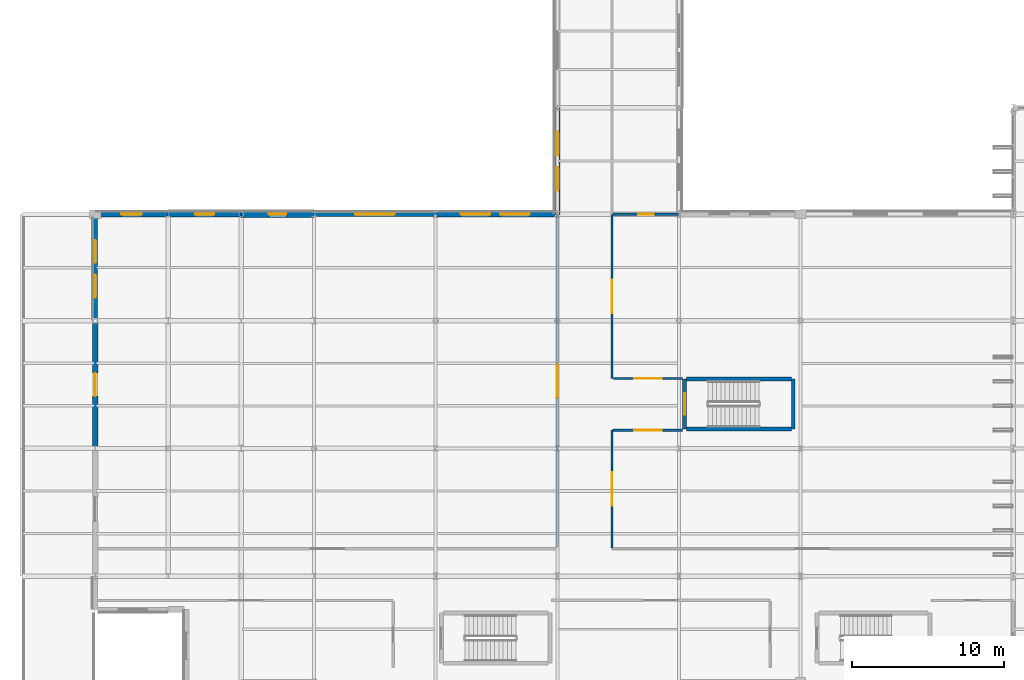
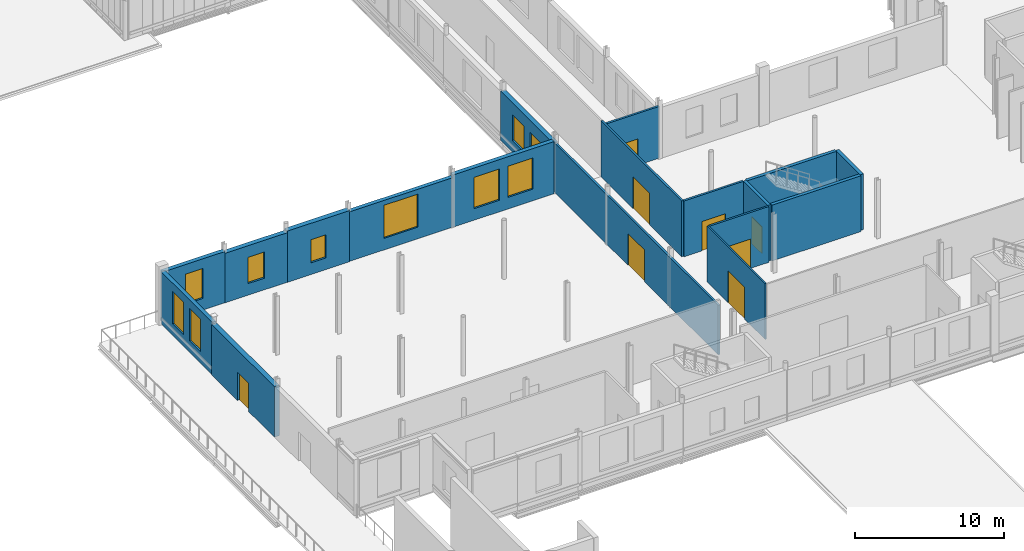
# One storey, part 96 of 120: 18 walls, 10 windows, 8 doors, 18 openings.
"""IFC4 building model written with IfcOpenShell, lengths in metres."""

from ifc_helpers import new_model, si_unit, direction, frame, frame_2d, origin, place, context, subcontext, project, spatial, rectangle, extrude, material, layer, layer_set, type_object, element, fill, save


model = new_model("IFC4")

# Units and contexts
model_context = context("Model", 3, precision=1e-05, world=origin(), true_north=direction((0.0, 1.0)))
body_context = subcontext(model_context, "Body", "Model", "MODEL_VIEW")
ifc_project = project(units=[si_unit("LENGTHUNIT", "METRE"), si_unit("AREAUNIT", "SQUARE_METRE"), si_unit("VOLUMEUNIT", "CUBIC_METRE"), si_unit("PLANEANGLEUNIT", "RADIAN"), si_unit("MASSUNIT", "GRAM", prefix="KILO")], contexts=[model_context])

# Site, building, storey
site_placement = place(None, origin())
site = spatial("IfcSite", under=ifc_project, at=site_placement, CompositionType="ELEMENT")
building_placement = place(site_placement, origin())
building = spatial("IfcBuilding", under=site, at=building_placement, Name="Vekula Escarpment Museum", CompositionType="ELEMENT")
storey_placement = place(building_placement, frame((0.0, 0.0, 13.199951171875)))
storey = spatial("IfcBuildingStorey", under=building, at=storey_placement, Name="L03", CompositionType="ELEMENT", Elevation=13.199951171875)

# Wall, opening, window
ifc_material_1 = material(Name="Inkisi arkosic sandstone masonry", Category="masonry")
ifc_layer_1 = layer(ifc_material_1, 0.300048828125)
ifc_layer_set_1 = layer_set([ifc_layer_1], Name="Inkisi arkosic sandstone masonry")
wall_type_1 = type_object("IfcWallType", Name="WL-ALM-300", PredefinedType="SOLIDWALL", material=ifc_layer_set_1)
wall_1_placement = place(storey_placement, frame((24.0, 83.39990234375, 0.0), z_axis=(0.0, 0.0, 1.0), x_axis=(1.0, 0.0, 0.0)))
wall_1 = element("IfcWall", 1, at=wall_1_placement, inside=storey, type_object=wall_type_1, Name="Exterior Wall WL-EXT-L03-0675", PredefinedType="SOLIDWALL", context=body_context, shape_type="SweptSolid", body=[
    extrude(rectangle(XDim=8.0, YDim=0.300048828125, at=frame_2d((4.0, 0.0))), origin(), (0.0, 0.0, 1.0), 4.045166015625),
])
opening_1_placement = place(wall_1_placement, frame((2.699951171875, 0.0, 0.949951171875)))
opening_1 = element("IfcOpeningElement", 2, at=opening_1_placement, cuts=wall_1, Name="Opening WN-28", PredefinedType="OPENING", context=body_context, shape_type="SweptSolid", body=[
    extrude(rectangle(XDim=2.60009765625, YDim=2.699951171875, at=frame_2d((1.300048828125, 1.35009765625))), frame((0.0, 0.159912109375, 0.0), z_axis=(0.0, -1.0, 0.0), x_axis=(1.0, 0.0, 0.0)), (0.0, 0.0, 1.0), 0.320068359375),
])
ifc_material_2 = material(Name="Double solar-control low-E glass", Category="glass")
window_type_1 = type_object("IfcWindowType", Name="WN-GAL-26x38", PartitioningType="TRIPLE_PANEL_VERTICAL", PredefinedType="WINDOW", material=ifc_material_2)
window_1_placement = place(opening_1_placement, origin())
window_1 = element("IfcWindow", 3, at=window_1_placement, inside=storey, type_object=window_type_1, Name="Window L03-0350", OverallHeight=2.699951171875, OverallWidth=2.60009765625, PartitioningType="SINGLE_PANEL", PredefinedType="WINDOW", context=body_context, shape_type="SweptSolid", body=[
    extrude(rectangle(XDim=2.60009765625, YDim=2.699951171875, at=frame_2d((1.300048828125, 1.35009765625))), frame((0.0, 0.030029296875, 0.0), z_axis=(0.0, -1.0, 0.0), x_axis=(1.0, 0.0, 0.0)), (0.0, 0.0, 1.0), 0.06005859375),
])
fill(opening_1, window_1)

# Wall, openings, windows
wall_2_placement = place(storey_placement, frame((9.60009765625, 76.39990234375, 0.0), z_axis=(0.0, 0.0, 1.0), x_axis=(0.0, 1.0, 0.0)))
wall_2 = element("IfcWall", 4, at=wall_2_placement, inside=storey, type_object=wall_type_1, Name="Exterior Wall WL-EXT-L03-0679", PredefinedType="SOLIDWALL", context=body_context, shape_type="SweptSolid", body=[
    extrude(rectangle(XDim=6.836181640625, YDim=0.300048828125, at=frame_2d((3.41796875, 0.0))), origin(), (0.0, 0.0, 1.0), 4.275146484375),
])
opening_2_placement = place(wall_2_placement, frame((1.52880859375, 0.0, 0.949951171875)))
opening_2 = element("IfcOpeningElement", 5, at=opening_2_placement, cuts=wall_2, Name="Opening WN-32", PredefinedType="OPENING", context=body_context, shape_type="SweptSolid", body=[
    extrude(rectangle(XDim=1.5, YDim=2.64990234375, at=frame_2d((0.75, 1.324951171875))), frame((0.0, 0.159912109375, 0.0), z_axis=(0.0, -1.0, 0.0), x_axis=(1.0, 0.0, 0.0)), (0.0, 0.0, 1.0), 0.320068359375),
])
opening_3_placement = place(wall_2_placement, frame((3.807373046875, 0.0, 0.949951171875)))
opening_3 = element("IfcOpeningElement", 6, at=opening_3_placement, cuts=wall_2, Name="Opening WN-32", PredefinedType="OPENING", context=body_context, shape_type="SweptSolid", body=[
    extrude(rectangle(XDim=1.5, YDim=2.64990234375, at=frame_2d((0.75, 1.324951171875))), frame((0.0, 0.159912109375, 0.0), z_axis=(0.0, -1.0, 0.0), x_axis=(1.0, 0.0, 0.0)), (0.0, 0.0, 1.0), 0.320068359375),
])
ifc_material_3 = material(Name="Double solar-control low-E glass", Category="glass")
window_type_2 = type_object("IfcWindowType", Name="WN-GAL-15x26", PartitioningType="DOUBLE_PANEL_VERTICAL", PredefinedType="WINDOW", material=ifc_material_3)
window_2_placement = place(opening_2_placement, origin())
window_2 = element("IfcWindow", 7, at=window_2_placement, inside=storey, type_object=window_type_2, Name="Window L03-0354", OverallHeight=2.64990234375, OverallWidth=1.5, PartitioningType="SINGLE_PANEL", PredefinedType="WINDOW", context=body_context, shape_type="SweptSolid", body=[
    extrude(rectangle(XDim=1.5, YDim=2.64990234375, at=frame_2d((0.75, 1.324951171875))), frame((0.0, 0.030029296875, 0.0), z_axis=(0.0, -1.0, 0.0), x_axis=(1.0, 0.0, 0.0)), (0.0, 0.0, 1.0), 0.06005859375),
])
fill(opening_2, window_2)
window_3_placement = place(opening_3_placement, origin())
window_3 = element("IfcWindow", 8, at=window_3_placement, inside=storey, type_object=window_type_2, Name="Window L03-0355", OverallHeight=2.64990234375, OverallWidth=1.5, PartitioningType="SINGLE_PANEL", PredefinedType="WINDOW", context=body_context, shape_type="SweptSolid", body=[
    extrude(rectangle(XDim=1.5, YDim=2.64990234375, at=frame_2d((0.75, 1.324951171875))), frame((0.0, 0.030029296875, 0.0), z_axis=(0.0, -1.0, 0.0), x_axis=(1.0, 0.0, 0.0)), (0.0, 0.0, 1.0), 0.06005859375),
])
fill(opening_3, window_3)

ifc_material_4 = material(Name="Inkisi arkosic sandstone masonry", Category="masonry")
ifc_layer_2 = layer(ifc_material_4, 0.320068359375)
ifc_layer_set_2 = layer_set([ifc_layer_2], Name="Inkisi arkosic sandstone masonry")
wall_type_2 = type_object("IfcWallType", Name="WL-ALM-320", PredefinedType="SOLIDWALL", material=ifc_layer_set_2)
wall_3_placement = place(storey_placement, frame((32.0, 83.39990234375, 0.0), z_axis=(0.0, 0.0, 1.0), x_axis=(1.0, 0.0, 0.0)))
wall_3 = element("IfcWall", 9, at=wall_3_placement, inside=storey, type_object=wall_type_2, Name="Exterior Wall WL-EXT-L03-0674", PredefinedType="SOLIDWALL", context=body_context, shape_type="SweptSolid", body=[
    extrude(rectangle(XDim=7.821044921875, YDim=0.320068359375, at=frame_2d((3.91064453125, 0.0))), origin(), (0.0, 0.0, 1.0), 4.26513671875),
])
opening_4_placement = place(wall_3_placement, frame((1.632080078125, 0.0, 0.949951171875)))
opening_4 = element("IfcOpeningElement", 10, at=opening_4_placement, cuts=wall_3, Name="Opening WN-26", PredefinedType="OPENING", context=body_context, shape_type="SweptSolid", body=[
    extrude(rectangle(XDim=1.949951171875, YDim=2.550048828125, at=frame_2d((0.97509765625, 1.27490234375))), frame((0.0, 0.169921875, 0.0), z_axis=(0.0, -1.0, 0.0), x_axis=(1.0, 0.0, 0.0)), (0.0, 0.0, 1.0), 0.340087890625),
])
opening_5_placement = place(wall_3_placement, frame((4.239013671875, 0.0, 0.949951171875)))
opening_5 = element("IfcOpeningElement", 11, at=opening_5_placement, cuts=wall_3, Name="Opening WN-26", PredefinedType="OPENING", context=body_context, shape_type="SweptSolid", body=[
    extrude(rectangle(XDim=1.949951171875, YDim=2.550048828125, at=frame_2d((0.97509765625, 1.27490234375))), frame((0.0, 0.169921875, 0.0), z_axis=(0.0, -1.0, 0.0), x_axis=(1.0, 0.0, 0.0)), (0.0, 0.0, 1.0), 0.340087890625),
])
ifc_material_5 = material(Name="Double solar-control low-E glass", Category="glass")
window_type_3 = type_object("IfcWindowType", Name="WN-GAL-19x25", PartitioningType="DOUBLE_PANEL_VERTICAL", PredefinedType="WINDOW", material=ifc_material_5)
window_4_placement = place(opening_4_placement, origin())
window_4 = element("IfcWindow", 12, at=window_4_placement, inside=storey, type_object=window_type_3, Name="Window L03-0348", OverallHeight=2.550048828125, OverallWidth=1.949951171875, PartitioningType="SINGLE_PANEL", PredefinedType="WINDOW", context=body_context, shape_type="SweptSolid", body=[
    extrude(rectangle(XDim=1.949951171875, YDim=2.550048828125, at=frame_2d((0.97509765625, 1.27490234375))), frame((0.0, 0.030029296875, 0.0), z_axis=(0.0, -1.0, 0.0), x_axis=(1.0, 0.0, 0.0)), (0.0, 0.0, 1.0), 0.06005859375),
])
fill(opening_4, window_4)
window_5_placement = place(opening_5_placement, origin())
window_5 = element("IfcWindow", 13, at=window_5_placement, inside=storey, type_object=window_type_3, Name="Window L03-0349", OverallHeight=2.550048828125, OverallWidth=1.949951171875, PartitioningType="SINGLE_PANEL", PredefinedType="WINDOW", context=body_context, shape_type="SweptSolid", body=[
    extrude(rectangle(XDim=1.949951171875, YDim=2.550048828125, at=frame_2d((0.97509765625, 1.27490234375))), frame((0.0, 0.030029296875, 0.0), z_axis=(0.0, -1.0, 0.0), x_axis=(1.0, 0.0, 0.0)), (0.0, 0.0, 1.0), 0.06005859375),
])
fill(opening_5, window_5)

# Wall, opening, window
wall_4_placement = place(storey_placement, frame((9.60009765625, 83.39990234375, 0.0), z_axis=(0.0, 0.0, 1.0), x_axis=(1.0, 0.0, 0.0)))
wall_4 = element("IfcWall", 14, at=wall_4_placement, inside=storey, type_object=wall_type_2, Name="Exterior Wall WL-EXT-L03-0678", PredefinedType="SOLIDWALL", context=body_context, shape_type="SweptSolid", body=[
    extrude(rectangle(XDim=4.7998046875, YDim=0.320068359375, at=frame_2d((2.39990234375, 0.0))), origin(), (0.0, 0.0, 1.0), 4.18505859375),
])
opening_6_placement = place(wall_4_placement, frame((1.72509765625, 0.0, 0.949951171875)))
opening_6 = element("IfcOpeningElement", 15, at=opening_6_placement, cuts=wall_4, Name="Opening WN-31", PredefinedType="OPENING", context=body_context, shape_type="SweptSolid", body=[
    extrude(rectangle(XDim=1.35009765625, YDim=2.449951171875, at=frame_2d((0.675048828125, 1.22509765625))), frame((0.0, 0.169921875, 0.0), z_axis=(0.0, -1.0, 0.0), x_axis=(1.0, 0.0, 0.0)), (0.0, 0.0, 1.0), 0.340087890625),
])
ifc_material_6 = material(Name="Double solar-control low-E glass", Category="glass")
window_type_4 = type_object("IfcWindowType", Name="WN-GAL-13x24", PartitioningType="SINGLE_PANEL", PredefinedType="WINDOW", material=ifc_material_6)
window_6_placement = place(opening_6_placement, origin())
window_6 = element("IfcWindow", 16, at=window_6_placement, inside=storey, type_object=window_type_4, Name="Window L03-0353", OverallHeight=2.449951171875, OverallWidth=1.35009765625, PartitioningType="SINGLE_PANEL", PredefinedType="WINDOW", context=body_context, shape_type="SweptSolid", body=[
    extrude(rectangle(XDim=1.35009765625, YDim=2.449951171875, at=frame_2d((0.675048828125, 1.22509765625))), frame((0.0, 0.030029296875, 0.0), z_axis=(0.0, -1.0, 0.0), x_axis=(1.0, 0.0, 0.0)), (0.0, 0.0, 1.0), 0.06005859375),
])
fill(opening_6, window_6)

# Wall, openings, windows
ifc_material_7 = material(Name="Inkisi arkosic sandstone masonry", Category="masonry")
ifc_layer_3 = layer(ifc_material_7, 0.35009765625)
ifc_layer_set_3 = layer_set([ifc_layer_3], Name="Inkisi arkosic sandstone masonry")
wall_type_3 = type_object("IfcWallType", Name="WL-ALM-350", PredefinedType="SOLIDWALL", material=ifc_layer_set_3)
wall_5_placement = place(storey_placement, frame((40.0, 83.39990234375, 0.0), z_axis=(0.0, 0.0, 1.0), x_axis=(0.0, 1.0, 0.0)))
wall_5 = element("IfcWall", 17, at=wall_5_placement, inside=storey, type_object=wall_type_3, Name="Exterior Wall WL-EXT-L03-0673", PredefinedType="SOLIDWALL", context=body_context, shape_type="SweptSolid", body=[
    extrude(rectangle(XDim=7.0, YDim=0.35009765625, at=frame_2d((3.5, 0.0))), origin(), (0.0, 0.0, 1.0), 4.045166015625),
])
opening_7_placement = place(wall_5_placement, frame((1.558349609375, 0.0, 0.949951171875)))
opening_7 = element("IfcOpeningElement", 18, at=opening_7_placement, cuts=wall_5, Name="Opening WN-24", PredefinedType="OPENING", context=body_context, shape_type="SweptSolid", body=[
    extrude(rectangle(XDim=1.550048828125, YDim=2.10009765625, at=frame_2d((0.77490234375, 1.050048828125))), frame((0.0, 0.18505859375, 0.0), z_axis=(0.0, -1.0, 0.0), x_axis=(1.0, 0.0, 0.0)), (0.0, 0.0, 1.0), 0.3701171875),
])
opening_8_placement = place(wall_5_placement, frame((3.8916015625, 0.0, 0.949951171875)))
opening_8 = element("IfcOpeningElement", 19, at=opening_8_placement, cuts=wall_5, Name="Opening WN-24", PredefinedType="OPENING", context=body_context, shape_type="SweptSolid", body=[
    extrude(rectangle(XDim=1.550048828125, YDim=2.10009765625, at=frame_2d((0.77490234375, 1.050048828125))), frame((0.0, 0.18505859375, 0.0), z_axis=(0.0, -1.0, 0.0), x_axis=(1.0, 0.0, 0.0)), (0.0, 0.0, 1.0), 0.3701171875),
])
ifc_material_8 = material(Name="Double solar-control low-E glass", Category="glass")
window_type_5 = type_object("IfcWindowType", Name="WN-GAL-15x21", PartitioningType="SINGLE_PANEL", PredefinedType="WINDOW", material=ifc_material_8)
window_7_placement = place(opening_7_placement, origin())
window_7 = element("IfcWindow", 20, at=window_7_placement, inside=storey, type_object=window_type_5, Name="Window L03-0346", OverallHeight=2.10009765625, OverallWidth=1.550048828125, PartitioningType="SINGLE_PANEL", PredefinedType="WINDOW", context=body_context, shape_type="SweptSolid", body=[
    extrude(rectangle(XDim=1.550048828125, YDim=2.10009765625, at=frame_2d((0.77490234375, 1.050048828125))), frame((0.0, 0.030029296875, 0.0), z_axis=(0.0, -1.0, 0.0), x_axis=(1.0, 0.0, 0.0)), (0.0, 0.0, 1.0), 0.06005859375),
])
fill(opening_7, window_7)
window_8_placement = place(opening_8_placement, origin())
window_8 = element("IfcWindow", 21, at=window_8_placement, inside=storey, type_object=window_type_5, Name="Window L03-0347", OverallHeight=2.10009765625, OverallWidth=1.550048828125, PartitioningType="SINGLE_PANEL", PredefinedType="WINDOW", context=body_context, shape_type="SweptSolid", body=[
    extrude(rectangle(XDim=1.550048828125, YDim=2.10009765625, at=frame_2d((0.77490234375, 1.050048828125))), frame((0.0, 0.030029296875, 0.0), z_axis=(0.0, -1.0, 0.0), x_axis=(1.0, 0.0, 0.0)), (0.0, 0.0, 1.0), 0.06005859375),
])
fill(opening_8, window_8)

# Wall, opening, window
wall_6_placement = place(storey_placement, frame((14.39990234375, 83.39990234375, 0.0), z_axis=(0.0, 0.0, 1.0), x_axis=(1.0, 0.0, 0.0)))
wall_6 = element("IfcWall", 22, at=wall_6_placement, inside=storey, type_object=wall_type_3, Name="Exterior Wall WL-EXT-L03-0677", PredefinedType="SOLIDWALL", context=body_context, shape_type="SweptSolid", body=[
    extrude(rectangle(XDim=4.800048828125, YDim=0.35009765625, at=frame_2d((2.39990234375, 0.0))), origin(), (0.0, 0.0, 1.0), 4.045166015625),
])
opening_9_placement = place(wall_6_placement, frame((1.77490234375, 0.0, 0.949951171875)))
opening_9 = element("IfcOpeningElement", 23, at=opening_9_placement, cuts=wall_6, Name="Opening WN-30", PredefinedType="OPENING", context=body_context, shape_type="SweptSolid", body=[
    extrude(rectangle(XDim=1.25, YDim=2.14990234375, at=frame_2d((0.625, 1.074951171875))), frame((0.0, 0.18505859375, 0.0), z_axis=(0.0, -1.0, 0.0), x_axis=(1.0, 0.0, 0.0)), (0.0, 0.0, 1.0), 0.3701171875),
])
ifc_material_9 = material(Name="Double solar-control low-E glass", Category="glass")
window_type_6 = type_object("IfcWindowType", Name="WN-GAL-12x21", PartitioningType="SINGLE_PANEL", PredefinedType="WINDOW", material=ifc_material_9)
window_9_placement = place(opening_9_placement, origin())
window_9 = element("IfcWindow", 24, at=window_9_placement, inside=storey, type_object=window_type_6, Name="Window L03-0352", OverallHeight=2.14990234375, OverallWidth=1.25, PartitioningType="SINGLE_PANEL", PredefinedType="WINDOW", context=body_context, shape_type="SweptSolid", body=[
    extrude(rectangle(XDim=1.25, YDim=2.14990234375, at=frame_2d((0.625, 1.074951171875))), frame((0.0, 0.030029296875, 0.0), z_axis=(0.0, -1.0, 0.0), x_axis=(1.0, 0.0, 0.0)), (0.0, 0.0, 1.0), 0.06005859375),
])
fill(opening_9, window_9)

ifc_material_10 = material(Name="Inkisi arkosic sandstone masonry", Category="masonry")
ifc_layer_4 = layer(ifc_material_10, 0.3798828125)
ifc_layer_set_4 = layer_set([ifc_layer_4], Name="Inkisi arkosic sandstone masonry")
wall_type_4 = type_object("IfcWallType", Name="WL-ALM-380", PredefinedType="SOLIDWALL", material=ifc_layer_set_4)
wall_7_placement = place(storey_placement, frame((19.199951171875, 83.39990234375, 0.0), z_axis=(0.0, 0.0, 1.0), x_axis=(1.0, 0.0, 0.0)))
wall_7 = element("IfcWall", 25, at=wall_7_placement, inside=storey, type_object=wall_type_4, Name="Exterior Wall WL-EXT-L03-0676", PredefinedType="SOLIDWALL", context=body_context, shape_type="SweptSolid", body=[
    extrude(rectangle(XDim=4.800048828125, YDim=0.3798828125, at=frame_2d((2.39990234375, 0.0))), origin(), (0.0, 0.0, 1.0), 4.18505859375),
])
opening_10_placement = place(wall_7_placement, frame((1.824951171875, 0.0, 0.949951171875)))
opening_10 = element("IfcOpeningElement", 26, at=opening_10_placement, cuts=wall_7, Name="Opening WN-29", PredefinedType="OPENING", context=body_context, shape_type="SweptSolid", body=[
    extrude(rectangle(XDim=1.14990234375, YDim=1.89990234375, at=frame_2d((0.574951171875, 0.949951171875))), frame((0.0, 0.199951171875, 0.0), z_axis=(0.0, -1.0, 0.0), x_axis=(1.0, 0.0, 0.0)), (0.0, 0.0, 1.0), 0.39990234375),
])
ifc_material_11 = material(Name="Double solar-control low-E glass", Category="glass")
window_type_7 = type_object("IfcWindowType", Name="WN-GAL-11x19", PartitioningType="SINGLE_PANEL", PredefinedType="WINDOW", material=ifc_material_11)
window_10_placement = place(opening_10_placement, origin())
window_10 = element("IfcWindow", 27, at=window_10_placement, inside=storey, type_object=window_type_7, Name="Window L03-0351", OverallHeight=1.89990234375, OverallWidth=1.14990234375, PartitioningType="SINGLE_PANEL", PredefinedType="WINDOW", context=body_context, shape_type="SweptSolid", body=[
    extrude(rectangle(XDim=1.14990234375, YDim=1.89990234375, at=frame_2d((0.574951171875, 0.949951171875))), frame((0.0, 0.030029296875, 0.0), z_axis=(0.0, -1.0, 0.0), x_axis=(1.0, 0.0, 0.0)), (0.0, 0.0, 1.0), 0.06005859375),
])
fill(opening_10, window_10)

# Wall, opening, door
wall_8_placement = place(storey_placement, frame((9.60009765625, 68.0, 0.0), z_axis=(0.0, 0.0, 1.0), x_axis=(0.0, 1.0, 0.0)))
wall_8 = element("IfcWall", 28, at=wall_8_placement, inside=storey, type_object=wall_type_4, Name="Exterior Wall WL-EXT-L03-0680", PredefinedType="SOLIDWALL", context=body_context, shape_type="SweptSolid", body=[
    extrude(rectangle(XDim=8.39990234375, YDim=0.3798828125, at=frame_2d((4.199951171875, 0.0))), origin(), (0.0, 0.0, 1.0), 4.125),
])
opening_11_placement = place(wall_8_placement, frame((3.449951171875, 0.0, 0.0)))
opening_11 = element("IfcOpeningElement", 29, at=opening_11_placement, cuts=wall_8, Name="Opening D-TR32", PredefinedType="OPENING", context=body_context, shape_type="SweptSolid", body=[
    extrude(rectangle(XDim=1.5, YDim=2.300048828125, at=frame_2d((0.75, 1.14990234375))), frame((0.0, 0.199951171875, 0.0), z_axis=(0.0, -1.0, 0.0), x_axis=(1.0, 0.0, 0.0)), (0.0, 0.0, 1.0), 0.39990234375),
])
ifc_material_12 = material(Name="Thermally broken glazed terrace door", Category="steel")
door_type_1 = type_object("IfcDoorType", Name="DR-TER-1500x2300", OperationType="NOTDEFINED", PredefinedType="DOOR", material=ifc_material_12)
door_1_placement = place(opening_11_placement, origin())
door_1 = element("IfcDoor", 30, at=door_1_placement, inside=storey, type_object=door_type_1, Name="Tier 2 Terrace Gallery Door D-TR32", OperationType="SINGLE_SWING_RIGHT", OverallHeight=2.300048828125, OverallWidth=1.5, PredefinedType="DOOR", context=body_context, shape_type="SweptSolid", body=[
    extrude(rectangle(XDim=1.5, YDim=2.300048828125, at=frame_2d((0.75, 1.14990234375))), frame((0.0, 0.02490234375, 0.0), z_axis=(0.0, -1.0, 0.0), x_axis=(1.0, 0.0, 0.0)), (0.0, 0.0, 1.0), 0.050048828125),
])
fill(opening_11, door_1)

ifc_material_13 = material(Name="Concrete C35/45", Category="concrete")
ifc_layer_5 = layer(ifc_material_13, 0.25)
ifc_layer_set_5 = layer_set([ifc_layer_5], Name="Concrete C35/45")
wall_type_5 = type_object("IfcWallType", Name="WL-CORE-250", PredefinedType="SHEAR", material=ifc_layer_set_5)
wall_9_placement = place(storey_placement, frame((48.375, 69.27490234375, 0.0), z_axis=(0.0, 0.0, 1.0), x_axis=(0.0, 1.0, 0.0)))
wall_9 = element("IfcWall", 31, at=wall_9_placement, inside=storey, type_object=wall_type_5, Name="Stair Core Wall ST-10 L03 W", PredefinedType="SHEAR", context=body_context, shape_type="SweptSolid", body=[
    extrude(rectangle(XDim=3.2900390625, YDim=0.25, at=frame_2d((1.64501953125, 0.0))), origin(), (0.0, 0.0, 1.0), 4.56005859375),
])
opening_12_placement = place(wall_9_placement, frame((0.945068359375, 0.0, 0.0)))
opening_12 = element("IfcOpeningElement", 32, at=opening_12_placement, cuts=wall_9, Name="Opening DR-FD60", PredefinedType="OPENING", context=body_context, shape_type="SweptSolid", body=[
    extrude(rectangle(XDim=1.39990234375, YDim=2.199951171875, at=frame_2d((0.699951171875, 1.10009765625))), frame((0.0, 0.135009765625, 0.0), z_axis=(0.0, -1.0, 0.0), x_axis=(1.0, 0.0, 0.0)), (0.0, 0.0, 1.0), 0.27001953125),
])
ifc_material_14 = material(Name="Fire-rated steel stair door", Category="steel")
door_type_2 = type_object("IfcDoorType", Name="DR-STAIR-1400x2200", OperationType="NOTDEFINED", PredefinedType="DOOR", material=ifc_material_14)
door_2_placement = place(opening_12_placement, origin())
door_2 = element("IfcDoor", 33, at=door_2_placement, inside=storey, type_object=door_type_2, Name="Protected Exit Stair Door ST-10 L03", OperationType="SINGLE_SWING_LEFT", OverallHeight=2.199951171875, OverallWidth=1.39990234375, PredefinedType="DOOR", context=body_context, shape_type="SweptSolid", body=[
    extrude(rectangle(XDim=1.39990234375, YDim=2.199951171875, at=frame_2d((0.699951171875, 1.10009765625))), frame((0.0, 0.02490234375, 0.0), z_axis=(0.0, -1.0, 0.0), x_axis=(1.0, 0.0, 0.0)), (0.0, 0.0, 1.0), 0.050048828125),
])
fill(opening_12, door_2)

# Walls
wall_10_placement = place(storey_placement, frame((55.52490234375, 69.27490234375, 0.0), z_axis=(0.0, 0.0, 1.0), x_axis=(0.0, 1.0, 0.0)))
element("IfcWall", 34, at=wall_10_placement, inside=storey, type_object=wall_type_5, Name="Stair Core Wall ST-10 L03 E", PredefinedType="SHEAR", context=body_context, shape_type="SweptSolid", body=[
    extrude(rectangle(XDim=3.2900390625, YDim=0.25, at=frame_2d((1.64501953125, 0.0))), origin(), (0.0, 0.0, 1.0), 4.56005859375),
])
for number, where, z_axis, x_axis, name in (
    (35, (48.50390625, 69.27490234375, 0.0), (0.0, 0.0, 1.0), (1.0, 0.0, 0.0), "Stair Core Wall ST-10 L03 S"),
    (36, (48.50390625, 72.56494140625, 0.0), (0.0, 0.0, 1.0), (1.0, 0.0, 0.0), "Stair Core Wall ST-10 L03 N"),
):
    element("IfcWall", number, at=place(storey_placement, frame(where, z_axis=z_axis, x_axis=x_axis)), inside=storey, type_object=wall_type_5, Name=name, PredefinedType="SHEAR", context=body_context, shape_type="SweptSolid", body=[
        extrude(rectangle(XDim=6.89208984375, YDim=0.25, at=frame_2d((3.446044921875, 0.0))), origin(), (0.0, 0.0, 1.0), 4.56005859375),
    ])

# Wall, opening, door
ifc_material_15 = material(Name="Lightweight studio partition", Category="gypsum")
ifc_layer_6 = layer(ifc_material_15, 0.1201171875)
ifc_layer_set_6 = layer_set([ifc_layer_6], Name="Lightweight studio partition")
wall_type_6 = type_object("IfcWallType", Name="WL-PART-120", PredefinedType="PARTITIONING", material=ifc_layer_set_6)
wall_11_placement = place(storey_placement, frame((43.60009765625, 61.464111328125, 0.0), z_axis=(0.0, 0.0, 1.0), x_axis=(0.0, 1.0, 0.0)))
wall_11 = element("IfcWall", 37, at=wall_11_placement, inside=storey, type_object=wall_type_6, Name="Interior Partition WL-INT-L03-0018", PredefinedType="PARTITIONING", context=body_context, shape_type="SweptSolid", body=[
    extrude(rectangle(XDim=7.73583984375, YDim=0.1201171875, at=frame_2d((3.867919921875, 0.0))), origin(), (0.0, 0.0, 1.0), 4.56005859375),
])
opening_13_placement = place(wall_11_placement, frame((2.76806640625, 0.0, 0.0)))
opening_13 = element("IfcOpeningElement", 38, at=opening_13_placement, cuts=wall_11, Name="Opening DR-GL22", PredefinedType="OPENING", context=body_context, shape_type="SweptSolid", body=[
    extrude(rectangle(XDim=2.199951171875, YDim=2.60009765625, at=frame_2d((1.10009765625, 1.300048828125))), frame((0.0, 0.070068359375, 0.0), z_axis=(0.0, -1.0, 0.0), x_axis=(1.0, 0.0, 0.0)), (0.0, 0.0, 1.0), 0.14013671875),
])
ifc_material_16 = material(Name="Double acoustic timber gallery door", Category="wood")
door_type_3 = type_object("IfcDoorType", Name="DR-GAL-2200x2600", OperationType="NOTDEFINED", PredefinedType="DOOR", material=ifc_material_16)
door_3_placement = place(opening_13_placement, origin())
door_3 = element("IfcDoor", 39, at=door_3_placement, inside=storey, type_object=door_type_3, Name="Interior Door L03-017", OperationType="SINGLE_SWING_RIGHT", OverallHeight=2.60009765625, OverallWidth=2.199951171875, PredefinedType="DOOR", context=body_context, shape_type="SweptSolid", body=[
    extrude(rectangle(XDim=2.199951171875, YDim=2.60009765625, at=frame_2d((1.10009765625, 1.300048828125))), frame((0.0, 0.02490234375, 0.0), z_axis=(0.0, -1.0, 0.0), x_axis=(1.0, 0.0, 0.0)), (0.0, 0.0, 1.0), 0.050048828125),
])
fill(opening_13, door_3)

ifc_material_17 = material(Name="Gypsum board dry-lined partition", Category="gypsum")
ifc_layer_7 = layer(ifc_material_17, 0.14990234375)
ifc_layer_set_7 = layer_set([ifc_layer_7], Name="Gypsum board dry-lined partition")
wall_type_7 = type_object("IfcWallType", Name="WL-PART-150", PredefinedType="PARTITIONING", material=ifc_layer_set_7)
wall_12_placement = place(storey_placement, frame((43.60009765625, 72.60009765625, 0.0), z_axis=(0.0, 0.0, 1.0), x_axis=(0.0, 1.0, 0.0)))
wall_12 = element("IfcWall", 40, at=wall_12_placement, inside=storey, type_object=wall_type_7, Name="Interior Partition WL-INT-L03-0017", PredefinedType="PARTITIONING", context=body_context, shape_type="SweptSolid", body=[
    extrude(rectangle(XDim=10.7998046875, YDim=0.14990234375, at=frame_2d((5.39990234375, 0.0))), origin(), (0.0, 0.0, 1.0), 4.56005859375),
])
opening_14_placement = place(wall_12_placement, frame((4.300048828125, 0.0, 0.0)))
opening_14 = element("IfcOpeningElement", 41, at=opening_14_placement, cuts=wall_12, Name="Opening DR-GL22", PredefinedType="OPENING", context=body_context, shape_type="SweptSolid", body=[
    extrude(rectangle(XDim=2.199951171875, YDim=2.60009765625, at=frame_2d((1.10009765625, 1.300048828125))), frame((0.0, 0.0849609375, 0.0), z_axis=(0.0, -1.0, 0.0), x_axis=(1.0, 0.0, 0.0)), (0.0, 0.0, 1.0), 0.169921875),
])
door_4_placement = place(opening_14_placement, origin())
door_4 = element("IfcDoor", 42, at=door_4_placement, inside=storey, type_object=door_type_3, Name="Interior Door L03-016", OperationType="SINGLE_SWING_LEFT", OverallHeight=2.60009765625, OverallWidth=2.199951171875, PredefinedType="DOOR", context=body_context, shape_type="SweptSolid", body=[
    extrude(rectangle(XDim=2.199951171875, YDim=2.60009765625, at=frame_2d((1.10009765625, 1.300048828125))), frame((0.0, 0.02490234375, 0.0), z_axis=(0.0, -1.0, 0.0), x_axis=(1.0, 0.0, 0.0)), (0.0, 0.0, 1.0), 0.050048828125),
])
fill(opening_14, door_4)

wall_13_placement = place(storey_placement, frame((43.6640625, 69.199951171875, 0.0), z_axis=(0.0, 0.0, 1.0), x_axis=(1.0, 0.0, 0.0)))
wall_13 = element("IfcWall", 43, at=wall_13_placement, inside=storey, type_object=wall_type_7, Name="Interior Partition WL-INT-L03-0020", PredefinedType="PARTITIONING", context=body_context, shape_type="SweptSolid", body=[
    extrude(rectangle(XDim=4.5859375, YDim=0.14990234375, at=frame_2d((2.29296875, 0.0))), origin(), (0.0, 0.0, 1.0), 4.56005859375),
])
opening_15_placement = place(wall_13_placement, frame((1.39306640625, 0.0, 0.0)))
opening_15 = element("IfcOpeningElement", 44, at=opening_15_placement, cuts=wall_13, Name="Opening DR-GL18", PredefinedType="OPENING", context=body_context, shape_type="SweptSolid", body=[
    extrude(rectangle(XDim=1.800048828125, YDim=2.39990234375, at=frame_2d((0.89990234375, 1.199951171875))), frame((0.0, 0.0849609375, 0.0), z_axis=(0.0, -1.0, 0.0), x_axis=(1.0, 0.0, 0.0)), (0.0, 0.0, 1.0), 0.169921875),
])
ifc_material_18 = material(Name="Double glazed gallery portal door", Category="steel")
door_type_4 = type_object("IfcDoorType", Name="DR-GAL-1800x2400", OperationType="NOTDEFINED", PredefinedType="DOOR", material=ifc_material_18)
door_5_placement = place(opening_15_placement, origin())
door_5 = element("IfcDoor", 45, at=door_5_placement, inside=storey, type_object=door_type_4, Name="Interior Door L03-019", OperationType="SINGLE_SWING_RIGHT", OverallHeight=2.39990234375, OverallWidth=1.800048828125, PredefinedType="DOOR", context=body_context, shape_type="SweptSolid", body=[
    extrude(rectangle(XDim=1.800048828125, YDim=2.39990234375, at=frame_2d((0.89990234375, 1.199951171875))), frame((0.0, 0.02490234375, 0.0), z_axis=(0.0, -1.0, 0.0), x_axis=(1.0, 0.0, 0.0)), (0.0, 0.0, 1.0), 0.050048828125),
])
fill(opening_15, door_5)

ifc_material_19 = material(Name="Gypsum board gallery partition", Category="gypsum")
ifc_layer_8 = layer(ifc_material_19, 0.159912109375)
ifc_layer_set_8 = layer_set([ifc_layer_8], Name="Gypsum board gallery partition")
wall_type_8 = type_object("IfcWallType", Name="WL-PART-160", PredefinedType="PARTITIONING", material=ifc_layer_set_8)
wall_14_placement = place(storey_placement, frame((43.6640625, 83.39990234375, 0.0), z_axis=(0.0, 0.0, 1.0), x_axis=(1.0, 0.0, 0.0)))
wall_14 = element("IfcWall", 46, at=wall_14_placement, inside=storey, type_object=wall_type_8, Name="Interior Partition WL-INT-L03-0007", PredefinedType="PARTITIONING", context=body_context, shape_type="SweptSolid", body=[
    extrude(rectangle(XDim=4.3359375, YDim=0.159912109375, at=frame_2d((2.16796875, 0.0))), origin(), (0.0, 0.0, 1.0), 4.22509765625),
])
opening_16_placement = place(wall_14_placement, frame((1.66796875, 0.0, 0.0)))
opening_16 = element("IfcOpeningElement", 47, at=opening_16_placement, cuts=wall_14, Name="Opening DR-OF10", PredefinedType="OPENING", context=body_context, shape_type="SweptSolid", body=[
    extrude(rectangle(XDim=1.0, YDim=2.14990234375, at=frame_2d((0.5, 1.074951171875))), frame((0.0, 0.08984375, 0.0), z_axis=(0.0, -1.0, 0.0), x_axis=(1.0, 0.0, 0.0)), (0.0, 0.0, 1.0), 0.179931640625),
])
ifc_material_20 = material(Name="Solid core timber study door", Category="wood")
door_type_5 = type_object("IfcDoorType", Name="DR-OFF-1000x2150", OperationType="NOTDEFINED", PredefinedType="DOOR", material=ifc_material_20)
door_6_placement = place(opening_16_placement, origin())
door_6 = element("IfcDoor", 48, at=door_6_placement, inside=storey, type_object=door_type_5, Name="Interior Door L03-007", OperationType="SINGLE_SWING_RIGHT", OverallHeight=2.14990234375, OverallWidth=1.0, PredefinedType="DOOR", context=body_context, shape_type="SweptSolid", body=[
    extrude(rectangle(XDim=1.0, YDim=2.14990234375, at=frame_2d((0.5, 1.074951171875))), frame((0.0, 0.02490234375, 0.0), z_axis=(0.0, -1.0, 0.0), x_axis=(1.0, 0.0, 0.0)), (0.0, 0.0, 1.0), 0.050048828125),
])
fill(opening_16, door_6)

wall_15_placement = place(storey_placement, frame((40.0, 61.47900390625, 0.0), z_axis=(0.0, 0.0, 1.0), x_axis=(0.0, 1.0, 0.0)))
wall_15 = element("IfcWall", 49, at=wall_15_placement, inside=storey, type_object=wall_type_8, Name="Interior Partition WL-INT-L03-0016", PredefinedType="PARTITIONING", context=body_context, shape_type="SweptSolid", body=[
    extrude(rectangle(XDim=21.9208984375, YDim=0.159912109375, at=frame_2d((10.96044921875, 0.0))), origin(), (0.0, 0.0, 1.0), 4.045166015625),
])
opening_17_placement = place(wall_15_placement, frame((9.860595703125, 0.0, 0.0)))
opening_17 = element("IfcOpeningElement", 50, at=opening_17_placement, cuts=wall_15, Name="Opening DR-GL22", PredefinedType="OPENING", context=body_context, shape_type="SweptSolid", body=[
    extrude(rectangle(XDim=2.199951171875, YDim=2.60009765625, at=frame_2d((1.10009765625, 1.300048828125))), frame((0.0, 0.08984375, 0.0), z_axis=(0.0, -1.0, 0.0), x_axis=(1.0, 0.0, 0.0)), (0.0, 0.0, 1.0), 0.179931640625),
])
door_7_placement = place(opening_17_placement, origin())
door_7 = element("IfcDoor", 51, at=door_7_placement, inside=storey, type_object=door_type_3, Name="Interior Door L03-015", OperationType="SINGLE_SWING_RIGHT", OverallHeight=2.60009765625, OverallWidth=2.199951171875, PredefinedType="DOOR", context=body_context, shape_type="SweptSolid", body=[
    extrude(rectangle(XDim=2.199951171875, YDim=2.60009765625, at=frame_2d((1.10009765625, 1.300048828125))), frame((0.0, 0.02490234375, 0.0), z_axis=(0.0, -1.0, 0.0), x_axis=(1.0, 0.0, 0.0)), (0.0, 0.0, 1.0), 0.050048828125),
])
fill(opening_17, door_7)

wall_16_placement = place(storey_placement, frame((43.678955078125, 72.60009765625, 0.0), z_axis=(0.0, 0.0, 1.0), x_axis=(1.0, 0.0, 0.0)))
wall_16 = element("IfcWall", 52, at=wall_16_placement, inside=storey, type_object=wall_type_8, Name="Interior Partition WL-INT-L03-0019", PredefinedType="PARTITIONING", context=body_context, shape_type="SweptSolid", body=[
    extrude(rectangle(XDim=4.571044921875, YDim=0.159912109375, at=frame_2d((2.28564453125, 0.0))), origin(), (0.0, 0.0, 1.0), 4.56005859375),
])
opening_18_placement = place(wall_16_placement, frame((1.385498046875, 0.0, 0.0)))
opening_18 = element("IfcOpeningElement", 53, at=opening_18_placement, cuts=wall_16, Name="Opening DR-GL18", PredefinedType="OPENING", context=body_context, shape_type="SweptSolid", body=[
    extrude(rectangle(XDim=1.800048828125, YDim=2.39990234375, at=frame_2d((0.89990234375, 1.199951171875))), frame((0.0, 0.08984375, 0.0), z_axis=(0.0, -1.0, 0.0), x_axis=(1.0, 0.0, 0.0)), (0.0, 0.0, 1.0), 0.179931640625),
])
door_8_placement = place(opening_18_placement, origin())
door_8 = element("IfcDoor", 54, at=door_8_placement, inside=storey, type_object=door_type_4, Name="Interior Door L03-018", OperationType="SINGLE_SWING_LEFT", OverallHeight=2.39990234375, OverallWidth=1.800048828125, PredefinedType="DOOR", context=body_context, shape_type="SweptSolid", body=[
    extrude(rectangle(XDim=1.800048828125, YDim=2.39990234375, at=frame_2d((0.89990234375, 1.199951171875))), frame((0.0, 0.02490234375, 0.0), z_axis=(0.0, -1.0, 0.0), x_axis=(1.0, 0.0, 0.0)), (0.0, 0.0, 1.0), 0.050048828125),
])
fill(opening_18, door_8)

save(model, "model.ifc")
